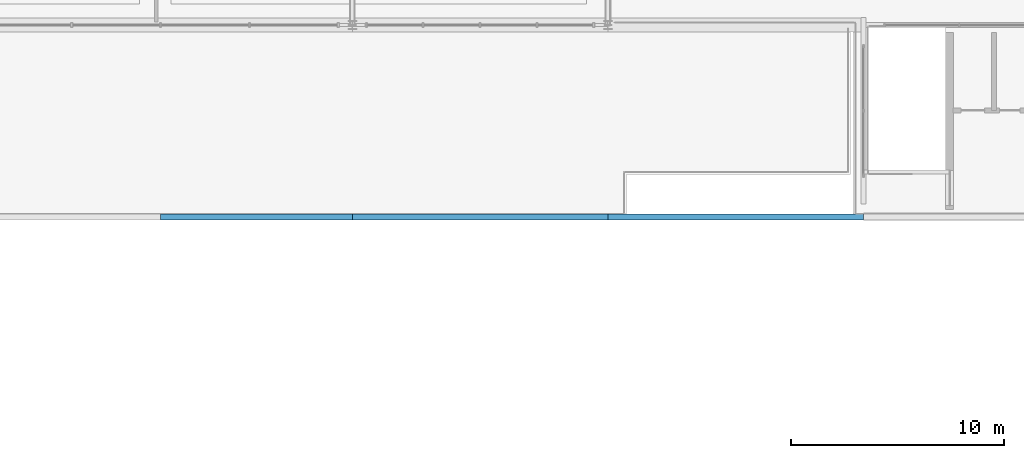
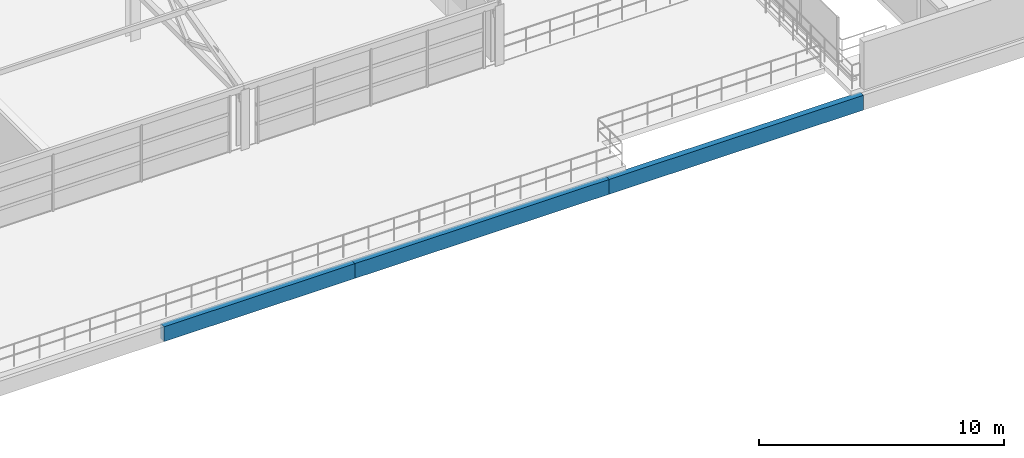
# One storey, part 11 of 50: 3 beams.
"""IFC4 building model written with IfcOpenShell, lengths in metres."""

from ifc_helpers import new_model, si_unit, derived_unit, direction, frame, origin, origin_2d, place, context, subcontext, project, spatial, rectangle, extrude, material, material_profile, profile_set, type_object, element, save


model = new_model("IFC4")

# Units and contexts
model_context = context("Model", 3, precision=1e-05, world=origin(), true_north=direction((0.0, 1.0)))
body_context = subcontext(model_context, "Body", "Model", "MODEL_VIEW")
ifc_project = project(units=[si_unit("LENGTHUNIT", "METRE"), si_unit("AREAUNIT", "SQUARE_METRE"), si_unit("VOLUMEUNIT", "CUBIC_METRE"), si_unit("PLANEANGLEUNIT", "RADIAN"), si_unit("MASSUNIT", "GRAM", prefix="KILO"), si_unit("THERMODYNAMICTEMPERATUREUNIT", "KELVIN"), derived_unit("THERMALTRANSMITTANCEUNIT", [(si_unit("POWERUNIT", "WATT"), 1), (si_unit("AREAUNIT", "SQUARE_METRE"), -1), (si_unit("THERMODYNAMICTEMPERATUREUNIT", "KELVIN"), -1)])], contexts=[model_context])

# Site, building, storey
site_placement = place(None, origin())
site = spatial("IfcSite", under=ifc_project, at=site_placement, CompositionType="ELEMENT")
building_placement = place(site_placement, origin())
building = spatial("IfcBuilding", under=site, at=building_placement, Name="Haiyu Intermodal Mobility Hub", CompositionType="ELEMENT")
storey_placement = place(building_placement, frame((0.0, 0.0, 25.10009765625)))
storey = spatial("IfcBuildingStorey", under=building, at=storey_placement, Name="L06", CompositionType="ELEMENT", Elevation=25.10009765625)

# Beams
ifc_material = material(Name="Precast concrete C40", Category="concrete")
ifc_material_profile = material_profile(ifc_material, rectangle(XDim=0.280029296875, YDim=0.739990234375, at=origin_2d()), Name="B280x740")
ifc_profile_set = profile_set([ifc_material_profile], Name="Precast concrete C40")
beam_type = type_object("IfcBeamType", Name="BM-SP05", PredefinedType="SPANDREL", material=ifc_profile_set)
beam_placement = place(storey_placement, frame((87.0, 104.0, -0.650146484375), z_axis=(1.0, 0.0, 0.0), x_axis=(0.0, 1.0, 0.0)))
element("IfcBeam", 1, at=beam_placement, inside=storey, type_object=beam_type, Name="BM-V4G-L06-007", PredefinedType="SPANDREL", context=body_context, shape_type="SweptSolid", body=[
    extrude(rectangle(XDim=0.280029296875, YDim=0.739990234375, at=origin_2d()), origin(), (0.0, 0.0, 1.0), 9.0),
])
for number, where, z_axis, x_axis, name in (
    (2, (96.0, 104.0, -0.650146484375), (1.0, 0.0, 0.0), (0.0, 1.0, 0.0), "BM-V4G-L06-008"),
    (3, (108.0, 104.0, -0.650146484375), (1.0, 0.0, 0.0), (0.0, 1.0, 0.0), "BM-V4G-L06-009"),
):
    element("IfcBeam", number, at=place(storey_placement, frame(where, z_axis=z_axis, x_axis=x_axis)), inside=storey, type_object=beam_type, Name=name, PredefinedType="SPANDREL", context=body_context, shape_type="SweptSolid", body=[
        extrude(rectangle(XDim=0.280029296875, YDim=0.739990234375, at=origin_2d()), origin(), (0.0, 0.0, 1.0), 12.0),
    ])

save(model, "model.ifc")
